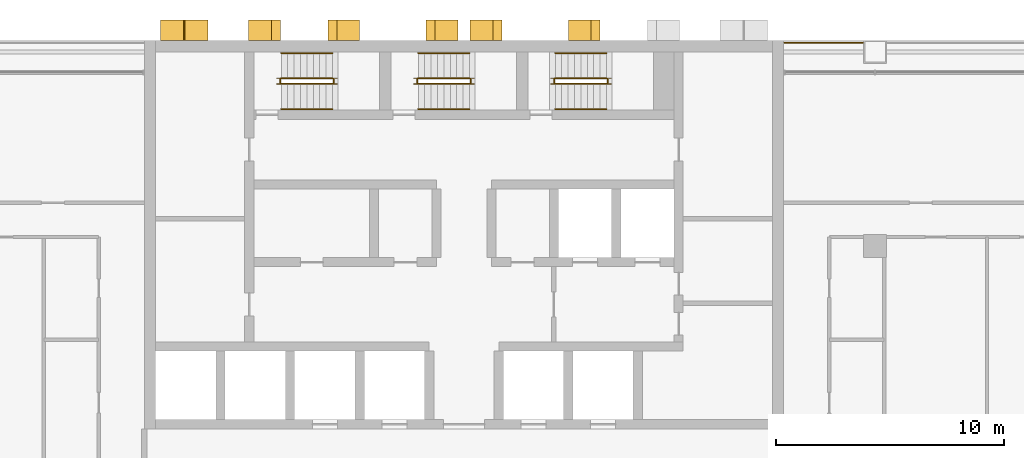
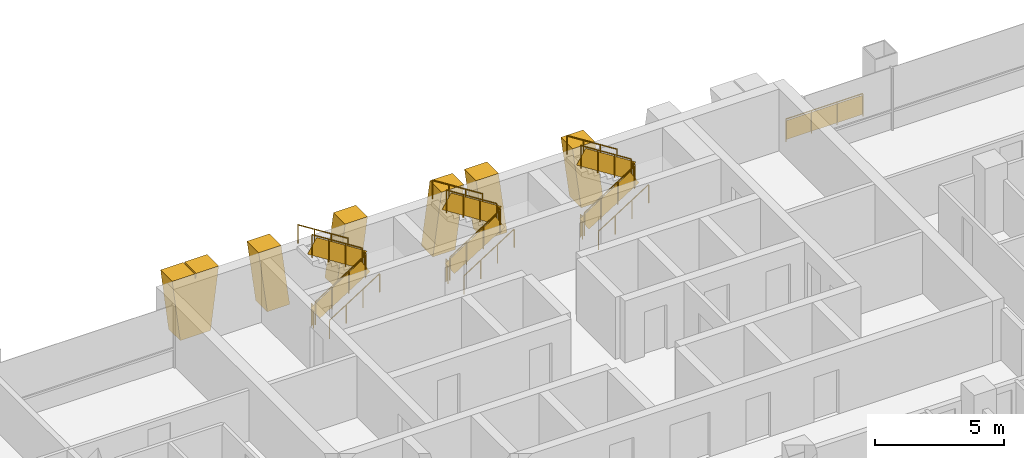
# One storey, part 17 of 18: 19 railings, 6 shading devices.
"""IFC4 building model written with IfcOpenShell, lengths in metres."""

import ifcopenshell
import ifcopenshell.guid

model = None  # the IFC model being written
_history = None  # IfcOwnerHistory: only IFC2X3 demands one
_inside = {}  # id of a spatial element -> (the spatial element, [elements in it])
_under = {}  # id of a project, library or spatial element -> (it, [spatial elements below it])
_declared = {}  # id of a project -> (the project, [libraries it declares])
_typed = {}  # id of a type object -> (the type object, [elements of that type])
_made_of = {}  # id of a material, layer set ... -> (it, [elements and type objects made of it])


def new_model(schema):
    """Start an empty IFC model of exactly this schema.

    Asked for "IFC4X3", IfcOpenShell would pick the latest addendum, in which some entities
    have other attributes; the version numbers below select the first issue.
    IFC2X3 requires an IfcOwnerHistory on every rooted entity: one is made here for all.
    """
    global model, _history
    if schema == "IFC4X3":
        model = ifcopenshell.file(schema_version=(4, 3, 0, 0))
    else:
        model = ifcopenshell.file(schema=schema)
    _inside.clear()
    _under.clear()
    _declared.clear()
    _typed.clear()
    _made_of.clear()
    _history = None
    if model.schema == "IFC2X3":
        org = make("IfcOrganization", Name="unknown")
        user = make(
            "IfcPersonAndOrganization",
            ThePerson=make("IfcPerson", FamilyName="unknown"),
            TheOrganization=org,
        )
        app = make(
            "IfcApplication",
            ApplicationDeveloper=org,
            Version="unknown",
            ApplicationFullName="unknown",
            ApplicationIdentifier="unknown",
        )
        _history = make(
            "IfcOwnerHistory",
            OwningUser=user,
            OwningApplication=app,
            ChangeAction="ADDED",
            CreationDate=0,
        )
    return model


def make(cls, **values):
    """One entity of the class cls with the attributes given. An attribute that is None is left unset."""
    return model.create_entity(
        cls, **{name: value for name, value in values.items() if value is not None}
    )


def rooted(cls, **values):
    """An entity with a GlobalId (a new one), such as an element, a storey or a relation."""
    return make(cls, GlobalId=ifcopenshell.guid.new(), OwnerHistory=_history, **values)


def si_unit(unit_type, name, prefix=None):
    """IfcSIUnit, for example si_unit("LENGTHUNIT", "METRE", prefix="MILLI")."""
    return make("IfcSIUnit", UnitType=unit_type, Prefix=prefix, Name=name)


def assignment(units):
    """IfcUnitAssignment: the units of a project."""
    return None if units is None else make("IfcUnitAssignment", Units=units)


def point(xyz):
    """IfcCartesianPoint."""
    return None if xyz is None else make("IfcCartesianPoint", Coordinates=xyz)


def direction(xyz):
    """IfcDirection."""
    return None if xyz is None else make("IfcDirection", DirectionRatios=xyz)


def frame(location, z_axis=None, x_axis=None):
    """IfcAxis2Placement3D, a coordinate frame: its origin and axes. An axis left out is left unset."""
    return make(
        "IfcAxis2Placement3D",
        Location=point(location),
        Axis=direction(z_axis),
        RefDirection=direction(x_axis),
    )


def frame_2d(location, x_axis=None):
    """IfcAxis2Placement2D, a coordinate frame in the plane: its origin and x axis."""
    return make(
        "IfcAxis2Placement2D", Location=point(location), RefDirection=direction(x_axis)
    )


def origin():
    """The frame at (0, 0, 0) with its axes left unset."""
    return frame((0.0, 0.0, 0.0))


def origin_2d():
    """The frame at (0, 0) in the plane with its x axis left unset."""
    return frame_2d((0.0, 0.0))


def place(relative_to, where):
    """IfcLocalPlacement: puts the frame where relative to a parent placement (None: the world)."""
    return make(
        "IfcLocalPlacement", PlacementRelTo=relative_to, RelativePlacement=where
    )


def context(
    kind, dimensions, precision=None, world=None, true_north=None, identifier=None
):
    """IfcGeometricRepresentationContext, for example the 3D "Model" context."""
    return make(
        "IfcGeometricRepresentationContext",
        ContextIdentifier=identifier,
        ContextType=kind,
        CoordinateSpaceDimension=dimensions,
        Precision=precision,
        WorldCoordinateSystem=world,
        TrueNorth=true_north,
    )


def subcontext(parent, identifier, kind, view, scale=None):
    """IfcGeometricRepresentationSubContext, for example "Body" below "Model"."""
    return make(
        "IfcGeometricRepresentationSubContext",
        ContextIdentifier=identifier,
        ContextType=kind,
        ParentContext=parent,
        TargetScale=scale,
        TargetView=view,
    )


def project(units=None, contexts=None):
    """IfcProject with its units and contexts."""
    return rooted(
        "IfcProject",
        Name="project",
        RepresentationContexts=contexts,
        UnitsInContext=assignment(units),
    )


def spatial(cls, under=None, at=None, **own):
    """A site, building, storey or space (cls), placed at a placement, below another one or the project."""
    s = rooted(cls, ObjectPlacement=at, **own)
    if under is not None:
        _under.setdefault(under.id(), (under, []))[1].append(s)
    return s


def polyline(points):
    """IfcPolyline through the points."""
    return make("IfcPolyline", Points=[point(p) for p in points])


def profile(cls, at=None, kind="AREA", **sizes):
    """A parametric profile (cls). Its sizes go by their IFC names, for example OverallWidth=200.0."""
    return make(cls, ProfileType=kind, Position=at, **sizes)


def rectangle(**sizes):
    """IfcRectangleProfileDef."""
    return profile("IfcRectangleProfileDef", **sizes)


def circle(**sizes):
    """IfcCircleProfileDef."""
    return profile("IfcCircleProfileDef", **sizes)


def outline(outer, holes=None, kind="AREA"):
    """IfcArbitraryClosedProfileDef: a profile drawn as a closed curve; with holes, ...WithVoids."""
    if holes is None:
        return make("IfcArbitraryClosedProfileDef", ProfileType=kind, OuterCurve=outer)
    return make(
        "IfcArbitraryProfileDefWithVoids",
        ProfileType=kind,
        OuterCurve=outer,
        InnerCurves=holes,
    )


def extrude(swept, where, along, depth):
    """IfcExtrudedAreaSolid: the profile swept, set in the frame where, extruded along a direction by depth."""
    return make(
        "IfcExtrudedAreaSolid",
        SweptArea=swept,
        Position=where,
        ExtrudedDirection=direction(along),
        Depth=depth,
    )


def shape(context_of_items, identifier, shape_type, items):
    """IfcShapeRepresentation: the items that make up one representation, for example the "Body"."""
    return make(
        "IfcShapeRepresentation",
        ContextOfItems=context_of_items,
        RepresentationIdentifier=identifier,
        RepresentationType=shape_type,
        Items=items,
    )


def material(Name=None, Category=None):
    """IfcMaterial."""
    return make("IfcMaterial", Name=Name, Category=Category)


def layer(
    of_material, thickness, ventilated=None, Name=None, Category=None, Priority=None
):
    """IfcMaterialLayer: one layer of a wall or slab, of a material (None: an air gap)."""
    return make(
        "IfcMaterialLayer",
        Material=of_material,
        LayerThickness=thickness,
        IsVentilated=ventilated,
        Name=Name,
        Category=Category,
        Priority=Priority,
    )


def layer_set(layers, Name=None):
    """IfcMaterialLayerSet."""
    return make("IfcMaterialLayerSet", MaterialLayers=layers, LayerSetName=Name)


def made_of(thing, what):
    """Note that an element or type object is made of a material, layer set ...; save() writes the relation."""
    if what is not None:
        _made_of.setdefault(what.id(), (what, []))[1].append(thing)
    return thing


def type_object(cls, material=None, **own):
    """A type object (cls), such as IfcWallType, which elements share."""
    return made_of(rooted(cls, **own), material)


def element(
    cls,
    number,
    at=None,
    inside=None,
    cuts=None,
    type_object=None,
    material=None,
    context=None,
    identifier="Body",
    shape_type=None,
    held_by="IfcProductDefinitionShape",
    body=None,
    shapes=None,
    **own,
):
    """One element of the class cls, such as IfcWall. Its Tag is "e" and its number.

    at: its placement. inside: the storey or other place that contains it. cuts: it is an
    opening in that element (IfcRelVoidsElement). A single representation is given by context,
    identifier, shape_type and body (its items); several are given by shapes. held_by: the class
    of the entity that holds the representations. save() writes the other relations.
    """
    e = rooted(cls, Tag="e%d" % number, ObjectPlacement=at, **own)
    if body is not None:
        shapes = [shape(context, identifier, shape_type, body)]
    if shapes is not None:
        e.Representation = make(held_by, Representations=shapes)
    if inside is not None:
        _inside.setdefault(inside.id(), (inside, []))[1].append(e)
    if cuts is not None:
        rooted(
            "IfcRelVoidsElement", RelatingBuildingElement=cuts, RelatedOpeningElement=e
        )
    if type_object is not None:
        _typed.setdefault(type_object.id(), (type_object, []))[1].append(e)
    return made_of(e, material)


def aggregate(whole, parts):
    """IfcRelAggregates: a whole, such as a stair, and the parts it consists of."""
    return rooted("IfcRelAggregates", RelatingObject=whole, RelatedObjects=parts)


def save(model, path):
    """Write the relations noted so far, then the file.

    IfcRelAggregates (storeys below a building ...), IfcRelContainedInSpatialStructure (elements
    in a storey), IfcRelDefinesByType, IfcRelAssociatesMaterial and IfcRelDeclares: one each for
    every whole, place, type object, material and project.
    """
    for whole, parts in _under.values():
        aggregate(whole, parts)
    for where, things in _inside.values():
        rooted(
            "IfcRelContainedInSpatialStructure",
            RelatedElements=things,
            RelatingStructure=where,
        )
    for kind, things in _typed.values():
        rooted("IfcRelDefinesByType", RelatedObjects=things, RelatingType=kind)
    for what, things in _made_of.values():
        rooted("IfcRelAssociatesMaterial", RelatedObjects=things, RelatingMaterial=what)
    for by, libraries in _declared.values():
        rooted("IfcRelDeclares", RelatingContext=by, RelatedDefinitions=libraries)
    model.write(path)


model = new_model("IFC4")

# Units and contexts
model_context = context("Model", 3, precision=1e-05, world=origin(), true_north=direction((0.0, 1.0)))
body_context = subcontext(model_context, "Body", "Model", "MODEL_VIEW")
ifc_project = project(units=[si_unit("LENGTHUNIT", "METRE"), si_unit("AREAUNIT", "SQUARE_METRE"), si_unit("VOLUMEUNIT", "CUBIC_METRE"), si_unit("PLANEANGLEUNIT", "RADIAN"), si_unit("MASSUNIT", "GRAM", prefix="KILO")], contexts=[model_context])

# Site, building, storey
site_placement = place(None, origin())
site = spatial("IfcSite", under=ifc_project, at=site_placement, CompositionType="ELEMENT")
building_placement = place(site_placement, origin())
building = spatial("IfcBuilding", under=site, at=building_placement, Name="Vidyagriha Tower", CompositionType="ELEMENT")
storey_placement = place(building_placement, frame((0.0, 0.0, 54.39990234375)))
storey = spatial("IfcBuildingStorey", under=building, at=storey_placement, Name="L14", CompositionType="ELEMENT", Elevation=54.39990234375)

# Shading devices
ifc_material_1 = material(Name="Precast concrete C40/50 with brick facing", Category="concrete")
ifc_layer_1 = layer(ifc_material_1, 1.0)
ifc_layer_set_1 = layer_set([ifc_layer_1], Name="Precast concrete C40/50 with brick facing")
shading_device_type_1 = type_object("IfcShadingDeviceType", Name="Brick-faced rear rib arm leaning 8 degrees", PredefinedType="USERDEFINED", material=ifc_layer_set_1)
for number, where, z_axis, x_axis, name in (
    (1, (5.95703125, 20.449951171875, 0.0), (0.0, 0.0, 1.0), (-1.0, 0.0, 0.0), "Rear rib arm L14 R08.2a"),
    (2, (1.656982421875, 20.449951171875, 0.0), (0.0, 0.0, 1.0), (-1.0, 0.0, 0.0), "Rear rib arm L14 R08.3a"),
):
    element("IfcShadingDevice", number, at=place(storey_placement, frame(where, z_axis=z_axis, x_axis=x_axis)), inside=storey, type_object=shading_device_type_1, Name=name, ObjectType="BLADE FIN", PredefinedType="USERDEFINED", context=body_context, shape_type="SweptSolid", body=[
        extrude(outline(polyline([(0.0, 0.0), (1.0, 0.0), (1.3857421875, 2.920166015625), (0.3857421875, 2.920166015625), (0.0, 0.0)])), frame((0.0, 0.449951171875, 0.0), z_axis=(0.0, -1.0, 0.0), x_axis=(1.0, 0.0, 0.0)), (0.0, 0.0, 1.0), 0.89990234375),
    ])
shading_device_1_placement = place(storey_placement, frame((-0.271484375, 20.449951171875, 0.0), z_axis=(0.0, 0.0, 1.0), x_axis=(-1.0, 0.0, 0.0)))
element("IfcShadingDevice", 3, at=shading_device_1_placement, inside=storey, type_object=shading_device_type_1, Name="Rear rib arm L14 R08.3b", ObjectType="BLADE FIN", PredefinedType="USERDEFINED", context=body_context, shape_type="SweptSolid", body=[
    extrude(outline(polyline([(0.3857421875, 0.0), (1.3857421875, 0.0), (1.0, 2.920166015625), (0.0, 2.920166015625), (0.3857421875, 0.0)])), frame((0.0, 0.449951171875, 0.0), z_axis=(0.0, -1.0, 0.0), x_axis=(1.0, 0.0, 0.0)), (0.0, 0.0, 1.0), 0.89990234375),
])
shading_device_2_placement = place(storey_placement, frame((-8.04296875, 20.449951171875, 0.0), z_axis=(0.0, 0.0, 1.0), x_axis=(-1.0, 0.0, 0.0)))
element("IfcShadingDevice", 4, at=shading_device_2_placement, inside=storey, type_object=shading_device_type_1, Name="Rear rib arm L14 R08.4a", ObjectType="BLADE FIN", PredefinedType="USERDEFINED", context=body_context, shape_type="SweptSolid", body=[
    extrude(outline(polyline([(0.0, 0.0), (1.0, 0.0), (1.3857421875, 2.920166015625), (0.3857421875, 2.920166015625), (0.0, 0.0)])), frame((0.0, 0.449951171875, 0.0), z_axis=(0.0, -1.0, 0.0), x_axis=(1.0, 0.0, 0.0)), (0.0, 0.0, 1.0), 0.89990234375),
])
shading_device_3_placement = place(storey_placement, frame((-4.5712890625, 20.449951171875, 0.0), z_axis=(0.0, 0.0, 1.0), x_axis=(-1.0, 0.0, 0.0)))
element("IfcShadingDevice", 5, at=shading_device_3_placement, inside=storey, type_object=shading_device_type_1, Name="Rear rib arm L14 R08.4b", ObjectType="BLADE FIN", PredefinedType="USERDEFINED", context=body_context, shape_type="SweptSolid", body=[
    extrude(outline(polyline([(0.3857421875, 0.0), (1.3857421875, 0.0), (1.0, 2.920166015625), (0.0, 2.920166015625), (0.3857421875, 0.0)])), frame((0.0, 0.449951171875, 0.0), z_axis=(0.0, -1.0, 0.0), x_axis=(1.0, 0.0, 0.0)), (0.0, 0.0, 1.0), 0.89990234375),
])
ifc_material_2 = material(Name="Precast concrete C40/50 with brick facing", Category="concrete")
ifc_layer_2 = layer(ifc_material_2, 1.0)
ifc_layer_set_2 = layer_set([ifc_layer_2], Name="Precast concrete C40/50 with brick facing")
shading_device_type_2 = type_object("IfcShadingDeviceType", Name="Brick-faced rear rib forking 8 degrees", PredefinedType="USERDEFINED", material=ifc_layer_set_2)
shading_device_4_placement = place(storey_placement, frame((-11.21435546875, 20.449951171875, 0.0), z_axis=(0.0, 0.0, 1.0), x_axis=(-1.0, 0.0, 0.0)))
element("IfcShadingDevice", 6, at=shading_device_4_placement, inside=storey, type_object=shading_device_type_2, Name="Rear rib fork L14 R08.5a", ObjectType="BLADE FIN", PredefinedType="USERDEFINED", context=body_context, shape_type="SweptSolid", body=[
    extrude(outline(polyline([(0.357177734375, 0.0), (1.71435546875, 0.0), (2.0712890625, 2.920166015625), (1.0712890625, 2.920166015625), (1.03564453125, 2.628173828125), (1.0, 2.920166015625), (0.0, 2.920166015625), (0.357177734375, 0.0)])), frame((0.0, 0.449951171875, 0.0), z_axis=(0.0, -1.0, 0.0), x_axis=(1.0, 0.0, 0.0)), (0.0, 0.0, 1.0), 0.89990234375),
])

# Railings
ifc_material_3 = material(Name="Steel ASTM A500 Grade C black painted", Category="steel")
railing_type_1 = type_object("IfcRailingType", Name="Gallery guard 1100", PredefinedType="GUARDRAIL", material=ifc_material_3)
railing_1_placement = place(storey_placement, frame((14.030029296875, 19.89990234375, 0.0)))
element("IfcRailing", 7, at=railing_1_placement, inside=storey, type_object=railing_type_1, Name="Gallery guard L14 10", PredefinedType="GUARDRAIL", context=body_context, shape_type="SweptSolid", body=[
    extrude(circle(Radius=0.02490234375, at=origin_2d()), frame((0.0, 0.0, 1.0751953125), z_axis=(1.0, 0.0, 0.0), x_axis=(0.0, 1.0, 0.0)), (0.0, 0.0, 1.0), 3.43994140625),
    extrude(circle(Radius=0.02001953125, at=origin_2d()), origin(), (0.0, 0.0, 1.0), 1.050048828125),
    extrude(circle(Radius=0.02001953125, at=origin_2d()), frame((1.146728515625, 0.0, 0.0)), (0.0, 0.0, 1.0), 1.050048828125),
    extrude(circle(Radius=0.02001953125, at=origin_2d()), frame((2.293212890625, 0.0, 0.0)), (0.0, 0.0, 1.0), 1.050048828125),
    extrude(circle(Radius=0.02001953125, at=origin_2d()), frame((3.43994140625, 0.0, 0.0)), (0.0, 0.0, 1.0), 1.050048828125),
    extrude(rectangle(XDim=0.010009765625, YDim=0.900146484375, at=origin_2d()), frame((0.0, 0.0, 0.550048828125), z_axis=(1.0, 0.0, 0.0), x_axis=(0.0, 1.0, 0.0)), (0.0, 0.0, 1.0), 3.43994140625),
])
ifc_material_4 = material(Name="Steel ASTM A500 Grade C", Category="steel")
railing_type_2 = type_object("IfcRailingType", Name="Stair guard 1100 mm, steel balustrade", PredefinedType="GUARDRAIL", material=ifc_material_4)
railing_2_placement = place(storey_placement, frame((-8.0, 18.10009765625, 0.177978515625)))
element("IfcRailing", 8, at=railing_2_placement, inside=storey, type_object=railing_type_2, Name="L14 ST1 stair guard 1", PredefinedType="GUARDRAIL", context=body_context, shape_type="SweptSolid", body=[
    extrude(circle(Radius=0.02392578125, at=origin_2d()), frame((0.0, 0.0, 1.076171875), z_axis=(0.8442293374, 0.0, 0.53598211339), x_axis=(0.0, 1.0, 0.0)), (0.0, 0.0, 1.0), 2.6533203125),
    extrude(circle(Radius=0.02099609375, at=origin_2d()), origin(), (0.0, 0.0, 1.0), 1.052001953125),
    extrude(circle(Radius=0.02099609375, at=origin_2d()), frame((0.74658203125, 0.0, 0.47412109375)), (0.0, 0.0, 1.0), 1.052001953125),
    extrude(circle(Radius=0.02099609375, at=origin_2d()), frame((1.493408203125, 0.0, 0.947998046875)), (0.0, 0.0, 1.0), 1.052001953125),
    extrude(circle(Radius=0.02099609375, at=origin_2d()), frame((2.239990234375, 0.0, 1.422119140625)), (0.0, 0.0, 1.0), 1.052001953125),
    extrude(rectangle(XDim=0.010009765625, YDim=0.761474609375, at=origin_2d()), frame((0.0, 0.0, 0.551025390625), z_axis=(0.8442293374, 0.0, 0.53598211339), x_axis=(0.0, 1.0, 0.0)), (0.0, 0.0, 1.0), 2.6533203125),
])
railing_3_placement = place(storey_placement, frame((-5.7099609375, 18.14990234375, 1.60009765625)))
element("IfcRailing", 9, at=railing_3_placement, inside=storey, type_object=railing_type_2, Name="L14 ST1 stair guard 2", PredefinedType="GUARDRAIL", context=body_context, shape_type="SweptSolid", body=[
    extrude(circle(Radius=0.02392578125, at=origin_2d()), frame((0.0, 0.0, 1.076171875), z_axis=(0.0, 1.0, 0.0), x_axis=(-1.0, 0.0, 0.0)), (0.0, 0.0, 1.0), 0.150146484375),
    extrude(circle(Radius=0.02099609375, at=origin_2d()), origin(), (0.0, 0.0, 1.0), 1.052001953125),
    extrude(circle(Radius=0.02099609375, at=origin_2d()), frame((0.0, 0.150146484375, 0.0)), (0.0, 0.0, 1.0), 1.052001953125),
    extrude(rectangle(XDim=0.010009765625, YDim=0.902099609375, at=origin_2d()), frame((0.0, 0.0, 0.551025390625), z_axis=(0.0, 1.0, 0.0), x_axis=(-1.0, 0.0, 0.0)), (0.0, 0.0, 1.0), 0.150146484375),
])
railing_4_placement = place(storey_placement, frame((-5.760009765625, 18.35009765625, 1.77783203125)))
element("IfcRailing", 10, at=railing_4_placement, inside=storey, type_object=railing_type_2, Name="L14 ST1 stair guard 3", PredefinedType="GUARDRAIL", context=body_context, shape_type="SweptSolid", body=[
    extrude(circle(Radius=0.02392578125, at=origin_2d()), frame((0.0, 0.0, 1.076171875), z_axis=(-0.84418770128, 0.0, 0.536047689118), x_axis=(0.0, -1.0, 0.0)), (0.0, 0.0, 1.0), 2.6533203125),
    extrude(circle(Radius=0.02099609375, at=origin_2d()), origin(), (0.0, 0.0, 1.0), 1.052001953125),
    extrude(circle(Radius=0.02099609375, at=origin_2d()), frame((-0.74658203125, 0.0, 0.47412109375)), (0.0, 0.0, 1.0), 1.052001953125),
    extrude(circle(Radius=0.02099609375, at=origin_2d()), frame((-1.493408203125, 0.0, 0.9482421875)), (0.0, 0.0, 1.0), 1.052001953125),
    extrude(circle(Radius=0.02099609375, at=origin_2d()), frame((-2.239990234375, 0.0, 1.42236328125)), (0.0, 0.0, 1.0), 1.052001953125),
    extrude(rectangle(XDim=0.010009765625, YDim=0.761474609375, at=origin_2d()), frame((0.0, 0.0, 0.551025390625), z_axis=(-0.84418770128, 0.0, 0.536047689118), x_axis=(0.0, -1.0, 0.0)), (0.0, 0.0, 1.0), 2.6533203125),
])
railing_5_placement = place(storey_placement, frame((-8.050048828125, 18.14990234375, 0.0)))
element("IfcRailing", 11, at=railing_5_placement, inside=storey, type_object=railing_type_2, Name="L14 ST1 stair guard 4", PredefinedType="GUARDRAIL", context=body_context, shape_type="SweptSolid", body=[
    extrude(circle(Radius=0.02392578125, at=origin_2d()), frame((0.0, 0.0, 1.076171875), z_axis=(0.0, 1.0, 0.0), x_axis=(-1.0, 0.0, 0.0)), (0.0, 0.0, 1.0), 0.150146484375),
    extrude(circle(Radius=0.02099609375, at=origin_2d()), origin(), (0.0, 0.0, 1.0), 1.052001953125),
    extrude(circle(Radius=0.02099609375, at=origin_2d()), frame((0.0, 0.150146484375, 0.0)), (0.0, 0.0, 1.0), 1.052001953125),
    extrude(rectangle(XDim=0.010009765625, YDim=0.902099609375, at=origin_2d()), frame((0.0, 0.0, 0.551025390625), z_axis=(0.0, 1.0, 0.0), x_axis=(-1.0, 0.0, 0.0)), (0.0, 0.0, 1.0), 0.150146484375),
])
railing_6_placement = place(storey_placement, frame((-2.0, 18.10009765625, 0.177978515625)))
element("IfcRailing", 12, at=railing_6_placement, inside=storey, type_object=railing_type_2, Name="L14 ST2 stair guard 1", PredefinedType="GUARDRAIL", context=body_context, shape_type="SweptSolid", body=[
    extrude(circle(Radius=0.02392578125, at=origin_2d()), frame((0.0, 0.0, 1.076171875), z_axis=(0.8442293374, 0.0, 0.53598211339), x_axis=(0.0, 1.0, 0.0)), (0.0, 0.0, 1.0), 2.6533203125),
    extrude(circle(Radius=0.02099609375, at=origin_2d()), origin(), (0.0, 0.0, 1.0), 1.052001953125),
    extrude(circle(Radius=0.02099609375, at=origin_2d()), frame((0.74658203125, 0.0, 0.47412109375)), (0.0, 0.0, 1.0), 1.052001953125),
    extrude(circle(Radius=0.02099609375, at=origin_2d()), frame((1.493408203125, 0.0, 0.947998046875)), (0.0, 0.0, 1.0), 1.052001953125),
    extrude(circle(Radius=0.02099609375, at=origin_2d()), frame((2.239990234375, 0.0, 1.422119140625)), (0.0, 0.0, 1.0), 1.052001953125),
    extrude(rectangle(XDim=0.010009765625, YDim=0.761474609375, at=origin_2d()), frame((0.0, 0.0, 0.551025390625), z_axis=(0.8442293374, 0.0, 0.53598211339), x_axis=(0.0, 1.0, 0.0)), (0.0, 0.0, 1.0), 2.6533203125),
])
railing_7_placement = place(storey_placement, frame((0.2900390625, 18.14990234375, 1.60009765625)))
element("IfcRailing", 13, at=railing_7_placement, inside=storey, type_object=railing_type_2, Name="L14 ST2 stair guard 2", PredefinedType="GUARDRAIL", context=body_context, shape_type="SweptSolid", body=[
    extrude(circle(Radius=0.02392578125, at=origin_2d()), frame((0.0, 0.0, 1.076171875), z_axis=(0.0, 1.0, 0.0), x_axis=(-1.0, 0.0, 0.0)), (0.0, 0.0, 1.0), 0.150146484375),
    extrude(circle(Radius=0.02099609375, at=origin_2d()), origin(), (0.0, 0.0, 1.0), 1.052001953125),
    extrude(circle(Radius=0.02099609375, at=origin_2d()), frame((0.0, 0.150146484375, 0.0)), (0.0, 0.0, 1.0), 1.052001953125),
    extrude(rectangle(XDim=0.010009765625, YDim=0.902099609375, at=origin_2d()), frame((0.0, 0.0, 0.551025390625), z_axis=(0.0, 1.0, 0.0), x_axis=(-1.0, 0.0, 0.0)), (0.0, 0.0, 1.0), 0.150146484375),
])
railing_8_placement = place(storey_placement, frame((0.239990234375, 18.35009765625, 1.77783203125)))
element("IfcRailing", 14, at=railing_8_placement, inside=storey, type_object=railing_type_2, Name="L14 ST2 stair guard 3", PredefinedType="GUARDRAIL", context=body_context, shape_type="SweptSolid", body=[
    extrude(circle(Radius=0.02392578125, at=origin_2d()), frame((0.0, 0.0, 1.076171875), z_axis=(-0.84418770128, 0.0, 0.536047689118), x_axis=(0.0, -1.0, 0.0)), (0.0, 0.0, 1.0), 2.6533203125),
    extrude(circle(Radius=0.02099609375, at=origin_2d()), origin(), (0.0, 0.0, 1.0), 1.052001953125),
    extrude(circle(Radius=0.02099609375, at=origin_2d()), frame((-0.74658203125, 0.0, 0.47412109375)), (0.0, 0.0, 1.0), 1.052001953125),
    extrude(circle(Radius=0.02099609375, at=origin_2d()), frame((-1.493408203125, 0.0, 0.9482421875)), (0.0, 0.0, 1.0), 1.052001953125),
    extrude(circle(Radius=0.02099609375, at=origin_2d()), frame((-2.239990234375, 0.0, 1.42236328125)), (0.0, 0.0, 1.0), 1.052001953125),
    extrude(rectangle(XDim=0.010009765625, YDim=0.761474609375, at=origin_2d()), frame((0.0, 0.0, 0.551025390625), z_axis=(-0.84418770128, 0.0, 0.536047689118), x_axis=(0.0, -1.0, 0.0)), (0.0, 0.0, 1.0), 2.6533203125),
])
railing_9_placement = place(storey_placement, frame((-2.050048828125, 18.14990234375, 0.0)))
element("IfcRailing", 15, at=railing_9_placement, inside=storey, type_object=railing_type_2, Name="L14 ST2 stair guard 4", PredefinedType="GUARDRAIL", context=body_context, shape_type="SweptSolid", body=[
    extrude(circle(Radius=0.02392578125, at=origin_2d()), frame((0.0, 0.0, 1.076171875), z_axis=(0.0, 1.0, 0.0), x_axis=(-1.0, 0.0, 0.0)), (0.0, 0.0, 1.0), 0.150146484375),
    extrude(circle(Radius=0.02099609375, at=origin_2d()), origin(), (0.0, 0.0, 1.0), 1.052001953125),
    extrude(circle(Radius=0.02099609375, at=origin_2d()), frame((0.0, 0.150146484375, 0.0)), (0.0, 0.0, 1.0), 1.052001953125),
    extrude(rectangle(XDim=0.010009765625, YDim=0.902099609375, at=origin_2d()), frame((0.0, 0.0, 0.551025390625), z_axis=(0.0, 1.0, 0.0), x_axis=(-1.0, 0.0, 0.0)), (0.0, 0.0, 1.0), 0.150146484375),
])
railing_10_placement = place(storey_placement, frame((4.0, 18.10009765625, 0.177978515625)))
element("IfcRailing", 16, at=railing_10_placement, inside=storey, type_object=railing_type_2, Name="L14 ST3 stair guard 1", PredefinedType="GUARDRAIL", context=body_context, shape_type="SweptSolid", body=[
    extrude(circle(Radius=0.02392578125, at=origin_2d()), frame((0.0, 0.0, 1.076171875), z_axis=(0.8442293374, 0.0, 0.53598211339), x_axis=(0.0, 1.0, 0.0)), (0.0, 0.0, 1.0), 2.6533203125),
    extrude(circle(Radius=0.02099609375, at=origin_2d()), origin(), (0.0, 0.0, 1.0), 1.052001953125),
    extrude(circle(Radius=0.02099609375, at=origin_2d()), frame((0.74658203125, 0.0, 0.47412109375)), (0.0, 0.0, 1.0), 1.052001953125),
    extrude(circle(Radius=0.02099609375, at=origin_2d()), frame((1.493408203125, 0.0, 0.947998046875)), (0.0, 0.0, 1.0), 1.052001953125),
    extrude(circle(Radius=0.02099609375, at=origin_2d()), frame((2.239990234375, 0.0, 1.422119140625)), (0.0, 0.0, 1.0), 1.052001953125),
    extrude(rectangle(XDim=0.010009765625, YDim=0.761474609375, at=origin_2d()), frame((0.0, 0.0, 0.551025390625), z_axis=(0.8442293374, 0.0, 0.53598211339), x_axis=(0.0, 1.0, 0.0)), (0.0, 0.0, 1.0), 2.6533203125),
])
railing_11_placement = place(storey_placement, frame((6.2900390625, 18.14990234375, 1.60009765625)))
element("IfcRailing", 17, at=railing_11_placement, inside=storey, type_object=railing_type_2, Name="L14 ST3 stair guard 2", PredefinedType="GUARDRAIL", context=body_context, shape_type="SweptSolid", body=[
    extrude(circle(Radius=0.02392578125, at=origin_2d()), frame((0.0, 0.0, 1.076171875), z_axis=(0.0, 1.0, 0.0), x_axis=(-1.0, 0.0, 0.0)), (0.0, 0.0, 1.0), 0.150146484375),
    extrude(circle(Radius=0.02099609375, at=origin_2d()), origin(), (0.0, 0.0, 1.0), 1.052001953125),
    extrude(circle(Radius=0.02099609375, at=origin_2d()), frame((0.0, 0.150146484375, 0.0)), (0.0, 0.0, 1.0), 1.052001953125),
    extrude(rectangle(XDim=0.010009765625, YDim=0.902099609375, at=origin_2d()), frame((0.0, 0.0, 0.551025390625), z_axis=(0.0, 1.0, 0.0), x_axis=(-1.0, 0.0, 0.0)), (0.0, 0.0, 1.0), 0.150146484375),
])
railing_12_placement = place(storey_placement, frame((6.239990234375, 18.35009765625, 1.77783203125)))
element("IfcRailing", 18, at=railing_12_placement, inside=storey, type_object=railing_type_2, Name="L14 ST3 stair guard 3", PredefinedType="GUARDRAIL", context=body_context, shape_type="SweptSolid", body=[
    extrude(circle(Radius=0.02392578125, at=origin_2d()), frame((0.0, 0.0, 1.076171875), z_axis=(-0.84418770128, 0.0, 0.536047689118), x_axis=(0.0, -1.0, 0.0)), (0.0, 0.0, 1.0), 2.6533203125),
    extrude(circle(Radius=0.02099609375, at=origin_2d()), origin(), (0.0, 0.0, 1.0), 1.052001953125),
    extrude(circle(Radius=0.02099609375, at=origin_2d()), frame((-0.74658203125, 0.0, 0.47412109375)), (0.0, 0.0, 1.0), 1.052001953125),
    extrude(circle(Radius=0.02099609375, at=origin_2d()), frame((-1.493408203125, 0.0, 0.9482421875)), (0.0, 0.0, 1.0), 1.052001953125),
    extrude(circle(Radius=0.02099609375, at=origin_2d()), frame((-2.239990234375, 0.0, 1.42236328125)), (0.0, 0.0, 1.0), 1.052001953125),
    extrude(rectangle(XDim=0.010009765625, YDim=0.761474609375, at=origin_2d()), frame((0.0, 0.0, 0.551025390625), z_axis=(-0.84418770128, 0.0, 0.536047689118), x_axis=(0.0, -1.0, 0.0)), (0.0, 0.0, 1.0), 2.6533203125),
])
railing_13_placement = place(storey_placement, frame((3.949951171875, 18.14990234375, 0.0)))
element("IfcRailing", 19, at=railing_13_placement, inside=storey, type_object=railing_type_2, Name="L14 ST3 stair guard 4", PredefinedType="GUARDRAIL", context=body_context, shape_type="SweptSolid", body=[
    extrude(circle(Radius=0.02392578125, at=origin_2d()), frame((0.0, 0.0, 1.076171875), z_axis=(0.0, 1.0, 0.0), x_axis=(-1.0, 0.0, 0.0)), (0.0, 0.0, 1.0), 0.150146484375),
    extrude(circle(Radius=0.02099609375, at=origin_2d()), origin(), (0.0, 0.0, 1.0), 1.052001953125),
    extrude(circle(Radius=0.02099609375, at=origin_2d()), frame((0.0, 0.150146484375, 0.0)), (0.0, 0.0, 1.0), 1.052001953125),
    extrude(rectangle(XDim=0.010009765625, YDim=0.902099609375, at=origin_2d()), frame((0.0, 0.0, 0.551025390625), z_axis=(0.0, 1.0, 0.0), x_axis=(-1.0, 0.0, 0.0)), (0.0, 0.0, 1.0), 0.150146484375),
])
ifc_material_5 = material(Name="Steel ASTM A500 Grade C", Category="steel")
railing_type_3 = type_object("IfcRailingType", Name="Stair handrail 900 mm, steel", PredefinedType="HANDRAIL", material=ifc_material_5)
railing_14_placement = place(storey_placement, frame((-8.0, 17.0, 0.177978515625)))
element("IfcRailing", 20, at=railing_14_placement, inside=storey, type_object=railing_type_3, Name="L14 ST1 stair handrail 1", PredefinedType="HANDRAIL", context=body_context, shape_type="SweptSolid", body=[
    extrude(circle(Radius=0.02392578125, at=origin_2d()), frame((0.0, 0.0, 0.8759765625), z_axis=(0.8442293374, 0.0, 0.53598211339), x_axis=(0.0, 1.0, 0.0)), (0.0, 0.0, 1.0), 2.6533203125),
    extrude(circle(Radius=0.02099609375, at=origin_2d()), origin(), (0.0, 0.0, 1.0), 0.851806640625),
    extrude(circle(Radius=0.02099609375, at=origin_2d()), frame((0.74658203125, 0.0, 0.47412109375)), (0.0, 0.0, 1.0), 0.851806640625),
    extrude(circle(Radius=0.02099609375, at=origin_2d()), frame((1.493408203125, 0.0, 0.947998046875)), (0.0, 0.0, 1.0), 0.851806640625),
    extrude(circle(Radius=0.02099609375, at=origin_2d()), frame((2.239990234375, 0.0, 1.422119140625)), (0.0, 0.0, 1.0), 0.851806640625),
])
railing_15_placement = place(storey_placement, frame((-5.760009765625, 19.449951171875, 1.77783203125)))
element("IfcRailing", 21, at=railing_15_placement, inside=storey, type_object=railing_type_3, Name="L14 ST1 stair handrail 2", PredefinedType="HANDRAIL", context=body_context, shape_type="SweptSolid", body=[
    extrude(circle(Radius=0.02392578125, at=origin_2d()), frame((0.0, 0.0, 0.8759765625), z_axis=(-0.84418770128, 0.0, 0.536047689118), x_axis=(0.0, -1.0, 0.0)), (0.0, 0.0, 1.0), 2.6533203125),
    extrude(circle(Radius=0.02099609375, at=origin_2d()), origin(), (0.0, 0.0, 1.0), 0.851806640625),
    extrude(circle(Radius=0.02099609375, at=origin_2d()), frame((-0.74658203125, 0.0, 0.47412109375)), (0.0, 0.0, 1.0), 0.851806640625),
    extrude(circle(Radius=0.02099609375, at=origin_2d()), frame((-1.493408203125, 0.0, 0.9482421875)), (0.0, 0.0, 1.0), 0.851806640625),
    extrude(circle(Radius=0.02099609375, at=origin_2d()), frame((-2.239990234375, 0.0, 1.42236328125)), (0.0, 0.0, 1.0), 0.851806640625),
])
railing_16_placement = place(storey_placement, frame((-2.0, 17.0, 0.177978515625)))
element("IfcRailing", 22, at=railing_16_placement, inside=storey, type_object=railing_type_3, Name="L14 ST2 stair handrail 1", PredefinedType="HANDRAIL", context=body_context, shape_type="SweptSolid", body=[
    extrude(circle(Radius=0.02392578125, at=origin_2d()), frame((0.0, 0.0, 0.8759765625), z_axis=(0.8442293374, 0.0, 0.53598211339), x_axis=(0.0, 1.0, 0.0)), (0.0, 0.0, 1.0), 2.6533203125),
    extrude(circle(Radius=0.02099609375, at=origin_2d()), origin(), (0.0, 0.0, 1.0), 0.851806640625),
    extrude(circle(Radius=0.02099609375, at=origin_2d()), frame((0.74658203125, 0.0, 0.47412109375)), (0.0, 0.0, 1.0), 0.851806640625),
    extrude(circle(Radius=0.02099609375, at=origin_2d()), frame((1.493408203125, 0.0, 0.947998046875)), (0.0, 0.0, 1.0), 0.851806640625),
    extrude(circle(Radius=0.02099609375, at=origin_2d()), frame((2.239990234375, 0.0, 1.422119140625)), (0.0, 0.0, 1.0), 0.851806640625),
])
railing_17_placement = place(storey_placement, frame((0.239990234375, 19.449951171875, 1.77783203125)))
element("IfcRailing", 23, at=railing_17_placement, inside=storey, type_object=railing_type_3, Name="L14 ST2 stair handrail 2", PredefinedType="HANDRAIL", context=body_context, shape_type="SweptSolid", body=[
    extrude(circle(Radius=0.02392578125, at=origin_2d()), frame((0.0, 0.0, 0.8759765625), z_axis=(-0.84418770128, 0.0, 0.536047689118), x_axis=(0.0, -1.0, 0.0)), (0.0, 0.0, 1.0), 2.6533203125),
    extrude(circle(Radius=0.02099609375, at=origin_2d()), origin(), (0.0, 0.0, 1.0), 0.851806640625),
    extrude(circle(Radius=0.02099609375, at=origin_2d()), frame((-0.74658203125, 0.0, 0.47412109375)), (0.0, 0.0, 1.0), 0.851806640625),
    extrude(circle(Radius=0.02099609375, at=origin_2d()), frame((-1.493408203125, 0.0, 0.9482421875)), (0.0, 0.0, 1.0), 0.851806640625),
    extrude(circle(Radius=0.02099609375, at=origin_2d()), frame((-2.239990234375, 0.0, 1.42236328125)), (0.0, 0.0, 1.0), 0.851806640625),
])
railing_18_placement = place(storey_placement, frame((4.0, 17.0, 0.177978515625)))
element("IfcRailing", 24, at=railing_18_placement, inside=storey, type_object=railing_type_3, Name="L14 ST3 stair handrail 1", PredefinedType="HANDRAIL", context=body_context, shape_type="SweptSolid", body=[
    extrude(circle(Radius=0.02392578125, at=origin_2d()), frame((0.0, 0.0, 0.8759765625), z_axis=(0.8442293374, 0.0, 0.53598211339), x_axis=(0.0, 1.0, 0.0)), (0.0, 0.0, 1.0), 2.6533203125),
    extrude(circle(Radius=0.02099609375, at=origin_2d()), origin(), (0.0, 0.0, 1.0), 0.851806640625),
    extrude(circle(Radius=0.02099609375, at=origin_2d()), frame((0.74658203125, 0.0, 0.47412109375)), (0.0, 0.0, 1.0), 0.851806640625),
    extrude(circle(Radius=0.02099609375, at=origin_2d()), frame((1.493408203125, 0.0, 0.947998046875)), (0.0, 0.0, 1.0), 0.851806640625),
    extrude(circle(Radius=0.02099609375, at=origin_2d()), frame((2.239990234375, 0.0, 1.422119140625)), (0.0, 0.0, 1.0), 0.851806640625),
])
railing_19_placement = place(storey_placement, frame((6.239990234375, 19.449951171875, 1.77783203125)))
element("IfcRailing", 25, at=railing_19_placement, inside=storey, type_object=railing_type_3, Name="L14 ST3 stair handrail 2", PredefinedType="HANDRAIL", context=body_context, shape_type="SweptSolid", body=[
    extrude(circle(Radius=0.02392578125, at=origin_2d()), frame((0.0, 0.0, 0.8759765625), z_axis=(-0.84418770128, 0.0, 0.536047689118), x_axis=(0.0, -1.0, 0.0)), (0.0, 0.0, 1.0), 2.6533203125),
    extrude(circle(Radius=0.02099609375, at=origin_2d()), origin(), (0.0, 0.0, 1.0), 0.851806640625),
    extrude(circle(Radius=0.02099609375, at=origin_2d()), frame((-0.74658203125, 0.0, 0.47412109375)), (0.0, 0.0, 1.0), 0.851806640625),
    extrude(circle(Radius=0.02099609375, at=origin_2d()), frame((-1.493408203125, 0.0, 0.9482421875)), (0.0, 0.0, 1.0), 0.851806640625),
    extrude(circle(Radius=0.02099609375, at=origin_2d()), frame((-2.239990234375, 0.0, 1.42236328125)), (0.0, 0.0, 1.0), 0.851806640625),
])

save(model, "model.ifc")
